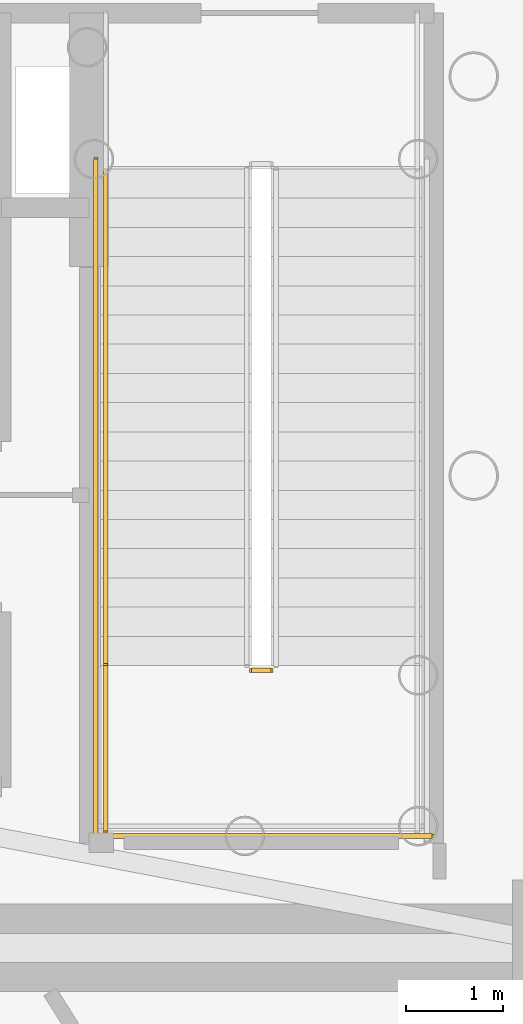
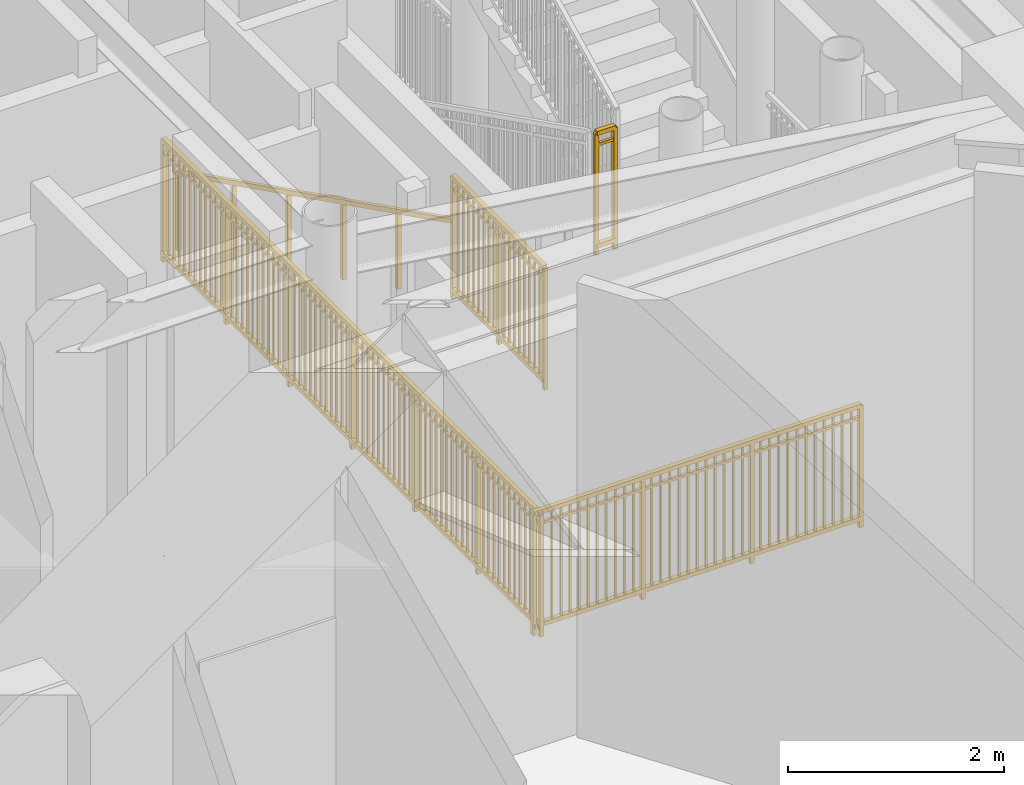
# One storey, part 34 of 39: 5 railings.
"""IFC4 building model written with IfcOpenShell, lengths in metres."""

from ifc_helpers import new_model, si_unit, direction, frame, origin, origin_2d, place, context, subcontext, project, spatial, rectangle, extrude, source, transform, mapped, material, type_object, element, save


model = new_model("IFC4")

# Units and contexts
model_context = context("Model", 3, precision=1e-05, world=origin(), true_north=direction((0.0, 1.0)))
body_context = subcontext(model_context, "Body", "Model", "MODEL_VIEW")
ifc_project = project(units=[si_unit("LENGTHUNIT", "METRE"), si_unit("AREAUNIT", "SQUARE_METRE"), si_unit("VOLUMEUNIT", "CUBIC_METRE"), si_unit("PLANEANGLEUNIT", "RADIAN"), si_unit("MASSUNIT", "GRAM", prefix="KILO")], contexts=[model_context])

# Site, building, storey
site_placement = place(None, origin())
site = spatial("IfcSite", under=ifc_project, at=site_placement, CompositionType="ELEMENT")
building_placement = place(site_placement, origin())
building = spatial("IfcBuilding", under=site, at=building_placement, Name="Linh Dai School and Residence Tower", CompositionType="ELEMENT")
storey_placement = place(building_placement, frame((0.0, 0.0, 27.0)))
storey = spatial("IfcBuildingStorey", under=building, at=storey_placement, Name="L06", CompositionType="ELEMENT", Elevation=27.0)

# Railings
ifc_material_1 = material(Name="Brushed Stainless Steel Handrail", Category="steel")
railing_type_1 = type_object("IfcRailingType", Name="RL-ST-HANDRAIL-900", PredefinedType="HANDRAIL", material=ifc_material_1)
shared_shape_1 = source(origin(), body_context, "Body", "SweptSolid", [
    extrude(rectangle(XDim=0.048095703125, YDim=0.048095703125, at=origin_2d()), frame((0.0, 0.0, 0.8759765625), z_axis=(0.0, -0.894427191, 0.4472135955), x_axis=(1.0, 0.0, 0.0)), (0.0, 0.0, 1.0), 5.7021484375),
    extrude(rectangle(XDim=0.0419921875, YDim=0.0419921875, at=origin_2d()), origin(), (0.0, 0.0, 1.0), 0.8759765625),
    extrude(rectangle(XDim=0.0419921875, YDim=0.0419921875, at=origin_2d()), frame((0.0, -1.02001953125, 0.510009765625)), (0.0, 0.0, 1.0), 0.8759765625),
    extrude(rectangle(XDim=0.0419921875, YDim=0.0419921875, at=origin_2d()), frame((0.0, -2.0400390625, 1.02001953125)), (0.0, 0.0, 1.0), 0.8759765625),
    extrude(rectangle(XDim=0.0419921875, YDim=0.0419921875, at=origin_2d()), frame((0.0, -3.06005859375, 1.530029296875)), (0.0, 0.0, 1.0), 0.8759765625),
    extrude(rectangle(XDim=0.0419921875, YDim=0.0419921875, at=origin_2d()), frame((0.0, -4.080078125, 2.0400390625)), (0.0, 0.0, 1.0), 0.8759765625),
    extrude(rectangle(XDim=0.0419921875, YDim=0.0419921875, at=origin_2d()), frame((0.0, -5.10009765625, 2.550048828125)), (0.0, 0.0, 1.0), 0.8759765625),
])
railing_1_placement = place(storey_placement, frame((41.070068359375, 28.25, 0.14990234375)))
element("IfcRailing", 1, at=railing_1_placement, inside=storey, type_object=railing_type_1, Name="L06 ST2 stair handrail 1", PredefinedType="HANDRAIL", context=body_context, shape_type="MappedRepresentation", body=[
    mapped(shared_shape_1, transform((0.0, 0.0, 0.0), x_axis=(1.0, 0.0, 0.0), y_axis=(0.0, 1.0, 0.0), z_axis=(0.0, 0.0, 1.0), scale=1.0)),
])
ifc_material_2 = material(Name="Structural Steel S355JR", Category="steel")
railing_type_2 = type_object("IfcRailingType", Name="RL-ST-GUARD-1400", PredefinedType="GUARDRAIL", material=ifc_material_2)
shared_shape_2 = source(origin(), body_context, "Body", "SweptSolid", [
    extrude(rectangle(XDim=0.048095703125, YDim=0.048095703125, at=origin_2d()), frame((0.0, 0.0, 1.3759765625), z_axis=(1.0, 0.0, 0.0), x_axis=(0.0, 1.0, 0.0)), (0.0, 0.0, 1.0), 0.199951171875),
    extrude(rectangle(XDim=0.048095703125, YDim=0.048095703125, at=origin_2d()), frame((0.0, 0.0, 0.10009765625), z_axis=(1.0, 0.0, 0.0), x_axis=(0.0, 1.0, 0.0)), (0.0, 0.0, 1.0), 0.199951171875),
    extrude(rectangle(XDim=0.030029296875, YDim=0.030029296875, at=origin_2d()), frame((0.0, 0.0, 1.239990234375), z_axis=(1.0, 0.0, 0.0), x_axis=(0.0, 1.0, 0.0)), (0.0, 0.0, 1.0), 0.199951171875),
    extrude(rectangle(XDim=0.0419921875, YDim=0.0419921875, at=origin_2d()), origin(), (0.0, 0.0, 1.0), 1.3759765625),
    extrude(rectangle(XDim=0.0419921875, YDim=0.0419921875, at=origin_2d()), frame((0.199951171875, 0.0, 0.0)), (0.0, 0.0, 1.0), 1.3759765625),
])
railing_2_placement = place(storey_placement, frame((42.570068359375, 23.10009765625, 2.699951171875)))
element("IfcRailing", 2, at=railing_2_placement, inside=storey, type_object=railing_type_2, Name="L06 ST2 stair guard 2", PredefinedType="GUARDRAIL", context=body_context, shape_type="MappedRepresentation", body=[
    mapped(shared_shape_2, transform((0.0, 0.0, 0.0), x_axis=(1.0, 0.0, 0.0), y_axis=(0.0, 1.0, 0.0), z_axis=(0.0, 0.0, 1.0), scale=1.0)),
])
shared_shape_3 = source(origin(), body_context, "Body", "SweptSolid", [
    extrude(rectangle(XDim=0.048095703125, YDim=0.048095703125, at=origin_2d()), frame((0.0, 0.0, 1.3759765625), z_axis=(0.0, -1.0, 0.0), x_axis=(1.0, 0.0, 0.0)), (0.0, 0.0, 1.0), 7.0),
    extrude(rectangle(XDim=0.048095703125, YDim=0.048095703125, at=origin_2d()), frame((0.0, 0.0, 0.10009765625), z_axis=(0.0, -1.0, 0.0), x_axis=(1.0, 0.0, 0.0)), (0.0, 0.0, 1.0), 7.0),
    extrude(rectangle(XDim=0.030029296875, YDim=0.030029296875, at=origin_2d()), frame((0.0, 0.0, 1.239990234375), z_axis=(0.0, -1.0, 0.0), x_axis=(1.0, 0.0, 0.0)), (0.0, 0.0, 1.0), 7.0),
    extrude(rectangle(XDim=0.02001953125, YDim=0.02001953125, at=origin_2d()), frame((0.0, -0.09716796875, 0.10009765625)), (0.0, 0.0, 1.0), 1.251708984375),
    extrude(rectangle(XDim=0.02001953125, YDim=0.02001953125, at=origin_2d()), frame((0.0, -0.1943359375, 0.10009765625)), (0.0, 0.0, 1.0), 1.251708984375),
    extrude(rectangle(XDim=0.02001953125, YDim=0.02001953125, at=origin_2d()), frame((0.0, -0.291748046875, 0.10009765625)), (0.0, 0.0, 1.0), 1.251708984375),
    extrude(rectangle(XDim=0.02001953125, YDim=0.02001953125, at=origin_2d()), frame((0.0, -0.388916015625, 0.10009765625)), (0.0, 0.0, 1.0), 1.251708984375),
    extrude(rectangle(XDim=0.02001953125, YDim=0.02001953125, at=origin_2d()), frame((0.0, -0.486083984375, 0.10009765625)), (0.0, 0.0, 1.0), 1.251708984375),
    extrude(rectangle(XDim=0.02001953125, YDim=0.02001953125, at=origin_2d()), frame((0.0, -0.583251953125, 0.10009765625)), (0.0, 0.0, 1.0), 1.251708984375),
    extrude(rectangle(XDim=0.02001953125, YDim=0.02001953125, at=origin_2d()), frame((0.0, -0.6806640625, 0.10009765625)), (0.0, 0.0, 1.0), 1.251708984375),
    extrude(rectangle(XDim=0.02001953125, YDim=0.02001953125, at=origin_2d()), frame((0.0, -0.77783203125, 0.10009765625)), (0.0, 0.0, 1.0), 1.251708984375),
    extrude(rectangle(XDim=0.02001953125, YDim=0.02001953125, at=origin_2d()), frame((0.0, -0.875, 0.10009765625)), (0.0, 0.0, 1.0), 1.251708984375),
    extrude(rectangle(XDim=0.02001953125, YDim=0.02001953125, at=origin_2d()), frame((0.0, -0.97216796875, 0.10009765625)), (0.0, 0.0, 1.0), 1.251708984375),
    extrude(rectangle(XDim=0.02001953125, YDim=0.02001953125, at=origin_2d()), frame((0.0, -1.0693359375, 0.10009765625)), (0.0, 0.0, 1.0), 1.251708984375),
    extrude(rectangle(XDim=0.02001953125, YDim=0.02001953125, at=origin_2d()), frame((0.0, -1.263916015625, 0.10009765625)), (0.0, 0.0, 1.0), 1.251708984375),
    extrude(rectangle(XDim=0.02001953125, YDim=0.02001953125, at=origin_2d()), frame((0.0, -1.361083984375, 0.10009765625)), (0.0, 0.0, 1.0), 1.251708984375),
    extrude(rectangle(XDim=0.02001953125, YDim=0.02001953125, at=origin_2d()), frame((0.0, -1.458251953125, 0.10009765625)), (0.0, 0.0, 1.0), 1.251708984375),
    extrude(rectangle(XDim=0.02001953125, YDim=0.02001953125, at=origin_2d()), frame((0.0, -1.5556640625, 0.10009765625)), (0.0, 0.0, 1.0), 1.251708984375),
    extrude(rectangle(XDim=0.02001953125, YDim=0.02001953125, at=origin_2d()), frame((0.0, -1.65283203125, 0.10009765625)), (0.0, 0.0, 1.0), 1.251708984375),
    extrude(rectangle(XDim=0.02001953125, YDim=0.02001953125, at=origin_2d()), frame((0.0, -1.75, 0.10009765625)), (0.0, 0.0, 1.0), 1.251708984375),
    extrude(rectangle(XDim=0.02001953125, YDim=0.02001953125, at=origin_2d()), frame((0.0, -1.84716796875, 0.10009765625)), (0.0, 0.0, 1.0), 1.251708984375),
    extrude(rectangle(XDim=0.02001953125, YDim=0.02001953125, at=origin_2d()), frame((0.0, -1.9443359375, 0.10009765625)), (0.0, 0.0, 1.0), 1.251708984375),
    extrude(rectangle(XDim=0.02001953125, YDim=0.02001953125, at=origin_2d()), frame((0.0, -2.041748046875, 0.10009765625)), (0.0, 0.0, 1.0), 1.251708984375),
    extrude(rectangle(XDim=0.02001953125, YDim=0.02001953125, at=origin_2d()), frame((0.0, -2.138916015625, 0.10009765625)), (0.0, 0.0, 1.0), 1.251708984375),
    extrude(rectangle(XDim=0.02001953125, YDim=0.02001953125, at=origin_2d()), frame((0.0, -2.236083984375, 0.10009765625)), (0.0, 0.0, 1.0), 1.251708984375),
    extrude(rectangle(XDim=0.02001953125, YDim=0.02001953125, at=origin_2d()), frame((0.0, -2.4306640625, 0.10009765625)), (0.0, 0.0, 1.0), 1.251708984375),
    extrude(rectangle(XDim=0.02001953125, YDim=0.02001953125, at=origin_2d()), frame((0.0, -2.52783203125, 0.10009765625)), (0.0, 0.0, 1.0), 1.251708984375),
    extrude(rectangle(XDim=0.02001953125, YDim=0.02001953125, at=origin_2d()), frame((0.0, -2.625, 0.10009765625)), (0.0, 0.0, 1.0), 1.251708984375),
    extrude(rectangle(XDim=0.02001953125, YDim=0.02001953125, at=origin_2d()), frame((0.0, -2.72216796875, 0.10009765625)), (0.0, 0.0, 1.0), 1.251708984375),
    extrude(rectangle(XDim=0.02001953125, YDim=0.02001953125, at=origin_2d()), frame((0.0, -2.8193359375, 0.10009765625)), (0.0, 0.0, 1.0), 1.251708984375),
    extrude(rectangle(XDim=0.02001953125, YDim=0.02001953125, at=origin_2d()), frame((0.0, -2.916748046875, 0.10009765625)), (0.0, 0.0, 1.0), 1.251708984375),
    extrude(rectangle(XDim=0.02001953125, YDim=0.02001953125, at=origin_2d()), frame((0.0, -3.013916015625, 0.10009765625)), (0.0, 0.0, 1.0), 1.251708984375),
    extrude(rectangle(XDim=0.02001953125, YDim=0.02001953125, at=origin_2d()), frame((0.0, -3.111083984375, 0.10009765625)), (0.0, 0.0, 1.0), 1.251708984375),
    extrude(rectangle(XDim=0.02001953125, YDim=0.02001953125, at=origin_2d()), frame((0.0, -3.208251953125, 0.10009765625)), (0.0, 0.0, 1.0), 1.251708984375),
    extrude(rectangle(XDim=0.02001953125, YDim=0.02001953125, at=origin_2d()), frame((0.0, -3.3056640625, 0.10009765625)), (0.0, 0.0, 1.0), 1.251708984375),
    extrude(rectangle(XDim=0.02001953125, YDim=0.02001953125, at=origin_2d()), frame((0.0, -3.40283203125, 0.10009765625)), (0.0, 0.0, 1.0), 1.251708984375),
    extrude(rectangle(XDim=0.02001953125, YDim=0.02001953125, at=origin_2d()), frame((0.0, -3.59716796875, 0.10009765625)), (0.0, 0.0, 1.0), 1.251708984375),
    extrude(rectangle(XDim=0.02001953125, YDim=0.02001953125, at=origin_2d()), frame((0.0, -3.6943359375, 0.10009765625)), (0.0, 0.0, 1.0), 1.251708984375),
    extrude(rectangle(XDim=0.02001953125, YDim=0.02001953125, at=origin_2d()), frame((0.0, -3.791748046875, 0.10009765625)), (0.0, 0.0, 1.0), 1.251708984375),
    extrude(rectangle(XDim=0.02001953125, YDim=0.02001953125, at=origin_2d()), frame((0.0, -3.888916015625, 0.10009765625)), (0.0, 0.0, 1.0), 1.251708984375),
    extrude(rectangle(XDim=0.02001953125, YDim=0.02001953125, at=origin_2d()), frame((0.0, -3.986083984375, 0.10009765625)), (0.0, 0.0, 1.0), 1.251708984375),
    extrude(rectangle(XDim=0.02001953125, YDim=0.02001953125, at=origin_2d()), frame((0.0, -4.083251953125, 0.10009765625)), (0.0, 0.0, 1.0), 1.251708984375),
    extrude(rectangle(XDim=0.02001953125, YDim=0.02001953125, at=origin_2d()), frame((0.0, -4.1806640625, 0.10009765625)), (0.0, 0.0, 1.0), 1.251708984375),
    extrude(rectangle(XDim=0.02001953125, YDim=0.02001953125, at=origin_2d()), frame((0.0, -4.27783203125, 0.10009765625)), (0.0, 0.0, 1.0), 1.251708984375),
    extrude(rectangle(XDim=0.02001953125, YDim=0.02001953125, at=origin_2d()), frame((0.0, -4.375, 0.10009765625)), (0.0, 0.0, 1.0), 1.251708984375),
    extrude(rectangle(XDim=0.02001953125, YDim=0.02001953125, at=origin_2d()), frame((0.0, -4.47216796875, 0.10009765625)), (0.0, 0.0, 1.0), 1.251708984375),
    extrude(rectangle(XDim=0.02001953125, YDim=0.02001953125, at=origin_2d()), frame((0.0, -4.5693359375, 0.10009765625)), (0.0, 0.0, 1.0), 1.251708984375),
    extrude(rectangle(XDim=0.02001953125, YDim=0.02001953125, at=origin_2d()), frame((0.0, -4.763916015625, 0.10009765625)), (0.0, 0.0, 1.0), 1.251708984375),
    extrude(rectangle(XDim=0.02001953125, YDim=0.02001953125, at=origin_2d()), frame((0.0, -4.861083984375, 0.10009765625)), (0.0, 0.0, 1.0), 1.251708984375),
    extrude(rectangle(XDim=0.02001953125, YDim=0.02001953125, at=origin_2d()), frame((0.0, -4.958251953125, 0.10009765625)), (0.0, 0.0, 1.0), 1.251708984375),
    extrude(rectangle(XDim=0.02001953125, YDim=0.02001953125, at=origin_2d()), frame((0.0, -5.0556640625, 0.10009765625)), (0.0, 0.0, 1.0), 1.251708984375),
    extrude(rectangle(XDim=0.02001953125, YDim=0.02001953125, at=origin_2d()), frame((0.0, -5.15283203125, 0.10009765625)), (0.0, 0.0, 1.0), 1.251708984375),
    extrude(rectangle(XDim=0.02001953125, YDim=0.02001953125, at=origin_2d()), frame((0.0, -5.25, 0.10009765625)), (0.0, 0.0, 1.0), 1.251708984375),
    extrude(rectangle(XDim=0.02001953125, YDim=0.02001953125, at=origin_2d()), frame((0.0, -5.34716796875, 0.10009765625)), (0.0, 0.0, 1.0), 1.251708984375),
    extrude(rectangle(XDim=0.02001953125, YDim=0.02001953125, at=origin_2d()), frame((0.0, -5.4443359375, 0.10009765625)), (0.0, 0.0, 1.0), 1.251708984375),
    extrude(rectangle(XDim=0.02001953125, YDim=0.02001953125, at=origin_2d()), frame((0.0, -5.541748046875, 0.10009765625)), (0.0, 0.0, 1.0), 1.251708984375),
    extrude(rectangle(XDim=0.02001953125, YDim=0.02001953125, at=origin_2d()), frame((0.0, -5.638916015625, 0.10009765625)), (0.0, 0.0, 1.0), 1.251708984375),
    extrude(rectangle(XDim=0.02001953125, YDim=0.02001953125, at=origin_2d()), frame((0.0, -5.736083984375, 0.10009765625)), (0.0, 0.0, 1.0), 1.251708984375),
    extrude(rectangle(XDim=0.02001953125, YDim=0.02001953125, at=origin_2d()), frame((0.0, -5.9306640625, 0.10009765625)), (0.0, 0.0, 1.0), 1.251708984375),
    extrude(rectangle(XDim=0.02001953125, YDim=0.02001953125, at=origin_2d()), frame((0.0, -6.02783203125, 0.10009765625)), (0.0, 0.0, 1.0), 1.251708984375),
    extrude(rectangle(XDim=0.02001953125, YDim=0.02001953125, at=origin_2d()), frame((0.0, -6.125, 0.10009765625)), (0.0, 0.0, 1.0), 1.251708984375),
    extrude(rectangle(XDim=0.02001953125, YDim=0.02001953125, at=origin_2d()), frame((0.0, -6.22216796875, 0.10009765625)), (0.0, 0.0, 1.0), 1.251708984375),
    extrude(rectangle(XDim=0.02001953125, YDim=0.02001953125, at=origin_2d()), frame((0.0, -6.3193359375, 0.10009765625)), (0.0, 0.0, 1.0), 1.251708984375),
    extrude(rectangle(XDim=0.02001953125, YDim=0.02001953125, at=origin_2d()), frame((0.0, -6.416748046875, 0.10009765625)), (0.0, 0.0, 1.0), 1.251708984375),
    extrude(rectangle(XDim=0.02001953125, YDim=0.02001953125, at=origin_2d()), frame((0.0, -6.513916015625, 0.10009765625)), (0.0, 0.0, 1.0), 1.251708984375),
    extrude(rectangle(XDim=0.02001953125, YDim=0.02001953125, at=origin_2d()), frame((0.0, -6.611083984375, 0.10009765625)), (0.0, 0.0, 1.0), 1.251708984375),
    extrude(rectangle(XDim=0.02001953125, YDim=0.02001953125, at=origin_2d()), frame((0.0, -6.708251953125, 0.10009765625)), (0.0, 0.0, 1.0), 1.251708984375),
    extrude(rectangle(XDim=0.02001953125, YDim=0.02001953125, at=origin_2d()), frame((0.0, -6.8056640625, 0.10009765625)), (0.0, 0.0, 1.0), 1.251708984375),
    extrude(rectangle(XDim=0.02001953125, YDim=0.02001953125, at=origin_2d()), frame((0.0, -6.90283203125, 0.10009765625)), (0.0, 0.0, 1.0), 1.251708984375),
    extrude(rectangle(XDim=0.0419921875, YDim=0.0419921875, at=origin_2d()), origin(), (0.0, 0.0, 1.0), 1.3759765625),
    extrude(rectangle(XDim=0.0419921875, YDim=0.0419921875, at=origin_2d()), frame((0.0, -1.166748046875, 0.0)), (0.0, 0.0, 1.0), 1.3759765625),
    extrude(rectangle(XDim=0.0419921875, YDim=0.0419921875, at=origin_2d()), frame((0.0, -2.333251953125, 0.0)), (0.0, 0.0, 1.0), 1.3759765625),
    extrude(rectangle(XDim=0.0419921875, YDim=0.0419921875, at=origin_2d()), frame((0.0, -3.5, 0.0)), (0.0, 0.0, 1.0), 1.3759765625),
    extrude(rectangle(XDim=0.0419921875, YDim=0.0419921875, at=origin_2d()), frame((0.0, -4.666748046875, 0.0)), (0.0, 0.0, 1.0), 1.3759765625),
    extrude(rectangle(XDim=0.0419921875, YDim=0.0419921875, at=origin_2d()), frame((0.0, -5.833251953125, 0.0)), (0.0, 0.0, 1.0), 1.3759765625),
    extrude(rectangle(XDim=0.0419921875, YDim=0.0419921875, at=origin_2d()), frame((0.0, -7.0, 0.0)), (0.0, 0.0, 1.0), 1.3759765625),
])
railing_3_placement = place(storey_placement, frame((40.969970703125, 28.35009765625, 0.0)))
element("IfcRailing", 3, at=railing_3_placement, inside=storey, type_object=railing_type_2, Name="L06 ST2 stair guard 10", PredefinedType="GUARDRAIL", context=body_context, shape_type="MappedRepresentation", body=[
    mapped(shared_shape_3, transform((0.0, 0.0, 0.0), x_axis=(1.0, 0.0, 0.0), y_axis=(0.0, 1.0, 0.0), z_axis=(0.0, 0.0, 1.0), scale=1.0)),
])
shared_shape_4 = source(origin(), body_context, "Body", "SweptSolid", [
    extrude(rectangle(XDim=0.048095703125, YDim=0.048095703125, at=origin_2d()), frame((0.0, 0.0, 1.3759765625), z_axis=(1.0, 0.0, 0.0), x_axis=(0.0, 1.0, 0.0)), (0.0, 0.0, 1.0), 3.5),
    extrude(rectangle(XDim=0.048095703125, YDim=0.048095703125, at=origin_2d()), frame((0.0, 0.0, 0.10009765625), z_axis=(1.0, 0.0, 0.0), x_axis=(0.0, 1.0, 0.0)), (0.0, 0.0, 1.0), 3.5),
    extrude(rectangle(XDim=0.030029296875, YDim=0.030029296875, at=origin_2d()), frame((0.0, 0.0, 1.239990234375), z_axis=(1.0, 0.0, 0.0), x_axis=(0.0, 1.0, 0.0)), (0.0, 0.0, 1.0), 3.5),
    extrude(rectangle(XDim=0.02001953125, YDim=0.02001953125, at=origin_2d()), frame((0.09716796875, 0.0, 0.10009765625)), (0.0, 0.0, 1.0), 1.251708984375),
    extrude(rectangle(XDim=0.02001953125, YDim=0.02001953125, at=origin_2d()), frame((0.1943359375, 0.0, 0.10009765625)), (0.0, 0.0, 1.0), 1.251708984375),
    extrude(rectangle(XDim=0.02001953125, YDim=0.02001953125, at=origin_2d()), frame((0.291748046875, 0.0, 0.10009765625)), (0.0, 0.0, 1.0), 1.251708984375),
    extrude(rectangle(XDim=0.02001953125, YDim=0.02001953125, at=origin_2d()), frame((0.388916015625, 0.0, 0.10009765625)), (0.0, 0.0, 1.0), 1.251708984375),
    extrude(rectangle(XDim=0.02001953125, YDim=0.02001953125, at=origin_2d()), frame((0.486083984375, 0.0, 0.10009765625)), (0.0, 0.0, 1.0), 1.251708984375),
    extrude(rectangle(XDim=0.02001953125, YDim=0.02001953125, at=origin_2d()), frame((0.583251953125, 0.0, 0.10009765625)), (0.0, 0.0, 1.0), 1.251708984375),
    extrude(rectangle(XDim=0.02001953125, YDim=0.02001953125, at=origin_2d()), frame((0.6806640625, 0.0, 0.10009765625)), (0.0, 0.0, 1.0), 1.251708984375),
    extrude(rectangle(XDim=0.02001953125, YDim=0.02001953125, at=origin_2d()), frame((0.77783203125, 0.0, 0.10009765625)), (0.0, 0.0, 1.0), 1.251708984375),
    extrude(rectangle(XDim=0.02001953125, YDim=0.02001953125, at=origin_2d()), frame((0.875, 0.0, 0.10009765625)), (0.0, 0.0, 1.0), 1.251708984375),
    extrude(rectangle(XDim=0.02001953125, YDim=0.02001953125, at=origin_2d()), frame((0.97216796875, 0.0, 0.10009765625)), (0.0, 0.0, 1.0), 1.251708984375),
    extrude(rectangle(XDim=0.02001953125, YDim=0.02001953125, at=origin_2d()), frame((1.0693359375, 0.0, 0.10009765625)), (0.0, 0.0, 1.0), 1.251708984375),
    extrude(rectangle(XDim=0.02001953125, YDim=0.02001953125, at=origin_2d()), frame((1.263916015625, 0.0, 0.10009765625)), (0.0, 0.0, 1.0), 1.251708984375),
    extrude(rectangle(XDim=0.02001953125, YDim=0.02001953125, at=origin_2d()), frame((1.361083984375, 0.0, 0.10009765625)), (0.0, 0.0, 1.0), 1.251708984375),
    extrude(rectangle(XDim=0.02001953125, YDim=0.02001953125, at=origin_2d()), frame((1.458251953125, 0.0, 0.10009765625)), (0.0, 0.0, 1.0), 1.251708984375),
    extrude(rectangle(XDim=0.02001953125, YDim=0.02001953125, at=origin_2d()), frame((1.5556640625, 0.0, 0.10009765625)), (0.0, 0.0, 1.0), 1.251708984375),
    extrude(rectangle(XDim=0.02001953125, YDim=0.02001953125, at=origin_2d()), frame((1.65283203125, 0.0, 0.10009765625)), (0.0, 0.0, 1.0), 1.251708984375),
    extrude(rectangle(XDim=0.02001953125, YDim=0.02001953125, at=origin_2d()), frame((1.75, 0.0, 0.10009765625)), (0.0, 0.0, 1.0), 1.251708984375),
    extrude(rectangle(XDim=0.02001953125, YDim=0.02001953125, at=origin_2d()), frame((1.84716796875, 0.0, 0.10009765625)), (0.0, 0.0, 1.0), 1.251708984375),
    extrude(rectangle(XDim=0.02001953125, YDim=0.02001953125, at=origin_2d()), frame((1.9443359375, 0.0, 0.10009765625)), (0.0, 0.0, 1.0), 1.251708984375),
    extrude(rectangle(XDim=0.02001953125, YDim=0.02001953125, at=origin_2d()), frame((2.041748046875, 0.0, 0.10009765625)), (0.0, 0.0, 1.0), 1.251708984375),
    extrude(rectangle(XDim=0.02001953125, YDim=0.02001953125, at=origin_2d()), frame((2.138916015625, 0.0, 0.10009765625)), (0.0, 0.0, 1.0), 1.251708984375),
    extrude(rectangle(XDim=0.02001953125, YDim=0.02001953125, at=origin_2d()), frame((2.236083984375, 0.0, 0.10009765625)), (0.0, 0.0, 1.0), 1.251708984375),
    extrude(rectangle(XDim=0.02001953125, YDim=0.02001953125, at=origin_2d()), frame((2.4306640625, 0.0, 0.10009765625)), (0.0, 0.0, 1.0), 1.251708984375),
    extrude(rectangle(XDim=0.02001953125, YDim=0.02001953125, at=origin_2d()), frame((2.52783203125, 0.0, 0.10009765625)), (0.0, 0.0, 1.0), 1.251708984375),
    extrude(rectangle(XDim=0.02001953125, YDim=0.02001953125, at=origin_2d()), frame((2.625, 0.0, 0.10009765625)), (0.0, 0.0, 1.0), 1.251708984375),
    extrude(rectangle(XDim=0.02001953125, YDim=0.02001953125, at=origin_2d()), frame((2.72216796875, 0.0, 0.10009765625)), (0.0, 0.0, 1.0), 1.251708984375),
    extrude(rectangle(XDim=0.02001953125, YDim=0.02001953125, at=origin_2d()), frame((2.8193359375, 0.0, 0.10009765625)), (0.0, 0.0, 1.0), 1.251708984375),
    extrude(rectangle(XDim=0.02001953125, YDim=0.02001953125, at=origin_2d()), frame((2.916748046875, 0.0, 0.10009765625)), (0.0, 0.0, 1.0), 1.251708984375),
    extrude(rectangle(XDim=0.02001953125, YDim=0.02001953125, at=origin_2d()), frame((3.013916015625, 0.0, 0.10009765625)), (0.0, 0.0, 1.0), 1.251708984375),
    extrude(rectangle(XDim=0.02001953125, YDim=0.02001953125, at=origin_2d()), frame((3.111083984375, 0.0, 0.10009765625)), (0.0, 0.0, 1.0), 1.251708984375),
    extrude(rectangle(XDim=0.02001953125, YDim=0.02001953125, at=origin_2d()), frame((3.208251953125, 0.0, 0.10009765625)), (0.0, 0.0, 1.0), 1.251708984375),
    extrude(rectangle(XDim=0.02001953125, YDim=0.02001953125, at=origin_2d()), frame((3.3056640625, 0.0, 0.10009765625)), (0.0, 0.0, 1.0), 1.251708984375),
    extrude(rectangle(XDim=0.02001953125, YDim=0.02001953125, at=origin_2d()), frame((3.40283203125, 0.0, 0.10009765625)), (0.0, 0.0, 1.0), 1.251708984375),
    extrude(rectangle(XDim=0.0419921875, YDim=0.0419921875, at=origin_2d()), origin(), (0.0, 0.0, 1.0), 1.3759765625),
    extrude(rectangle(XDim=0.0419921875, YDim=0.0419921875, at=origin_2d()), frame((1.166748046875, 0.0, 0.0)), (0.0, 0.0, 1.0), 1.3759765625),
    extrude(rectangle(XDim=0.0419921875, YDim=0.0419921875, at=origin_2d()), frame((2.333251953125, 0.0, 0.0)), (0.0, 0.0, 1.0), 1.3759765625),
    extrude(rectangle(XDim=0.0419921875, YDim=0.0419921875, at=origin_2d()), frame((3.5, 0.0, 0.0)), (0.0, 0.0, 1.0), 1.3759765625),
])
railing_4_placement = place(storey_placement, frame((40.919921875, 21.39990234375, 0.0)))
element("IfcRailing", 4, at=railing_4_placement, inside=storey, type_object=railing_type_2, Name="L06 ST2 stair guard 12", PredefinedType="GUARDRAIL", context=body_context, shape_type="MappedRepresentation", body=[
    mapped(shared_shape_4, transform((0.0, 0.0, 0.0), x_axis=(1.0, 0.0, 0.0), y_axis=(0.0, 1.0, 0.0), z_axis=(0.0, 0.0, 1.0), scale=1.0)),
])
shared_shape_5 = source(origin(), body_context, "Body", "SweptSolid", [
    extrude(rectangle(XDim=0.048095703125, YDim=0.048095703125, at=origin_2d()), frame((0.0, 0.0, 1.3759765625), z_axis=(0.0, -1.0, 0.0), x_axis=(1.0, 0.0, 0.0)), (0.0, 0.0, 1.0), 1.699951171875),
    extrude(rectangle(XDim=0.048095703125, YDim=0.048095703125, at=origin_2d()), frame((0.0, 0.0, 0.10009765625), z_axis=(0.0, -1.0, 0.0), x_axis=(1.0, 0.0, 0.0)), (0.0, 0.0, 1.0), 1.699951171875),
    extrude(rectangle(XDim=0.030029296875, YDim=0.030029296875, at=origin_2d()), frame((0.0, 0.0, 1.239990234375), z_axis=(0.0, -1.0, 0.0), x_axis=(1.0, 0.0, 0.0)), (0.0, 0.0, 1.0), 1.699951171875),
    extrude(rectangle(XDim=0.02001953125, YDim=0.02001953125, at=origin_2d()), frame((0.0, -0.094482421875, 0.10009765625)), (0.0, 0.0, 1.0), 1.251708984375),
    extrude(rectangle(XDim=0.02001953125, YDim=0.02001953125, at=origin_2d()), frame((0.0, -0.18896484375, 0.10009765625)), (0.0, 0.0, 1.0), 1.251708984375),
    extrude(rectangle(XDim=0.02001953125, YDim=0.02001953125, at=origin_2d()), frame((0.0, -0.283203125, 0.10009765625)), (0.0, 0.0, 1.0), 1.251708984375),
    extrude(rectangle(XDim=0.02001953125, YDim=0.02001953125, at=origin_2d()), frame((0.0, -0.377685546875, 0.10009765625)), (0.0, 0.0, 1.0), 1.251708984375),
    extrude(rectangle(XDim=0.02001953125, YDim=0.02001953125, at=origin_2d()), frame((0.0, -0.47216796875, 0.10009765625)), (0.0, 0.0, 1.0), 1.251708984375),
    extrude(rectangle(XDim=0.02001953125, YDim=0.02001953125, at=origin_2d()), frame((0.0, -0.566650390625, 0.10009765625)), (0.0, 0.0, 1.0), 1.251708984375),
    extrude(rectangle(XDim=0.02001953125, YDim=0.02001953125, at=origin_2d()), frame((0.0, -0.6611328125, 0.10009765625)), (0.0, 0.0, 1.0), 1.251708984375),
    extrude(rectangle(XDim=0.02001953125, YDim=0.02001953125, at=origin_2d()), frame((0.0, -0.755615234375, 0.10009765625)), (0.0, 0.0, 1.0), 1.251708984375),
    extrude(rectangle(XDim=0.02001953125, YDim=0.02001953125, at=origin_2d()), frame((0.0, -0.9443359375, 0.10009765625)), (0.0, 0.0, 1.0), 1.251708984375),
    extrude(rectangle(XDim=0.02001953125, YDim=0.02001953125, at=origin_2d()), frame((0.0, -1.038818359375, 0.10009765625)), (0.0, 0.0, 1.0), 1.251708984375),
    extrude(rectangle(XDim=0.02001953125, YDim=0.02001953125, at=origin_2d()), frame((0.0, -1.13330078125, 0.10009765625)), (0.0, 0.0, 1.0), 1.251708984375),
    extrude(rectangle(XDim=0.02001953125, YDim=0.02001953125, at=origin_2d()), frame((0.0, -1.227783203125, 0.10009765625)), (0.0, 0.0, 1.0), 1.251708984375),
    extrude(rectangle(XDim=0.02001953125, YDim=0.02001953125, at=origin_2d()), frame((0.0, -1.322265625, 0.10009765625)), (0.0, 0.0, 1.0), 1.251708984375),
    extrude(rectangle(XDim=0.02001953125, YDim=0.02001953125, at=origin_2d()), frame((0.0, -1.41650390625, 0.10009765625)), (0.0, 0.0, 1.0), 1.251708984375),
    extrude(rectangle(XDim=0.02001953125, YDim=0.02001953125, at=origin_2d()), frame((0.0, -1.510986328125, 0.10009765625)), (0.0, 0.0, 1.0), 1.251708984375),
    extrude(rectangle(XDim=0.02001953125, YDim=0.02001953125, at=origin_2d()), frame((0.0, -1.60546875, 0.10009765625)), (0.0, 0.0, 1.0), 1.251708984375),
    extrude(rectangle(XDim=0.0419921875, YDim=0.0419921875, at=origin_2d()), origin(), (0.0, 0.0, 1.0), 1.3759765625),
    extrude(rectangle(XDim=0.0419921875, YDim=0.0419921875, at=origin_2d()), frame((0.0, -0.85009765625, 0.0)), (0.0, 0.0, 1.0), 1.3759765625),
    extrude(rectangle(XDim=0.0419921875, YDim=0.0419921875, at=origin_2d()), frame((0.0, -1.699951171875, 0.0)), (0.0, 0.0, 1.0), 1.3759765625),
])
railing_5_placement = place(storey_placement, frame((41.070068359375, 23.14990234375, 2.699951171875)))
element("IfcRailing", 5, at=railing_5_placement, inside=storey, type_object=railing_type_2, Name="L06 ST2 stair guard 3", PredefinedType="GUARDRAIL", context=body_context, shape_type="MappedRepresentation", body=[
    mapped(shared_shape_5, transform((0.0, 0.0, 0.0), x_axis=(1.0, 0.0, 0.0), y_axis=(0.0, 1.0, 0.0), z_axis=(0.0, 0.0, 1.0), scale=1.0)),
])

save(model, "model.ifc")
